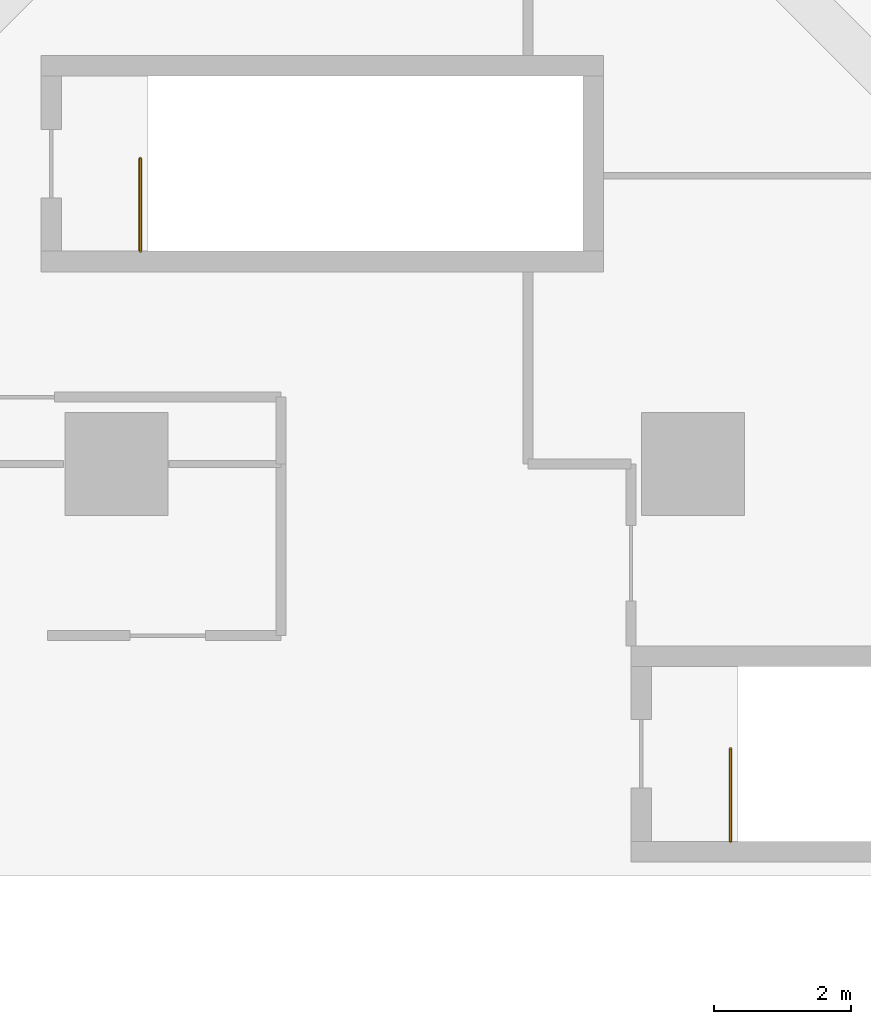
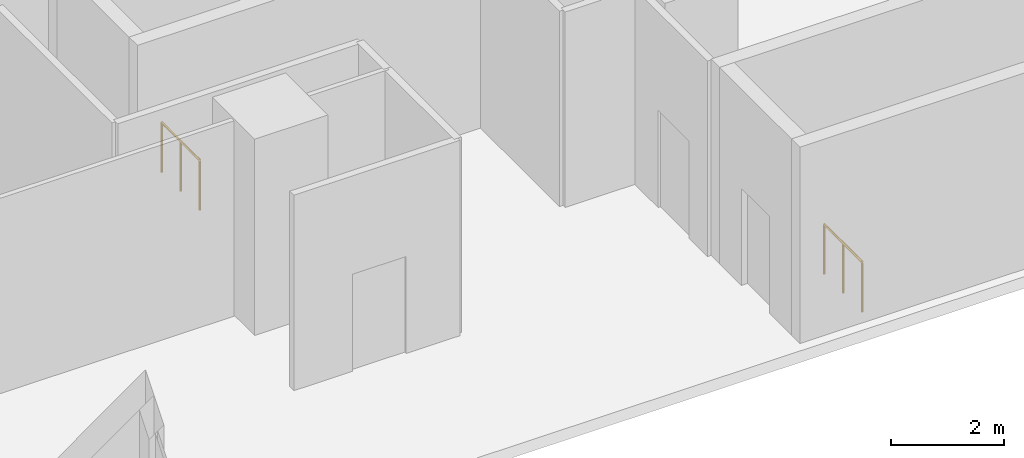
# One storey, part 13 of 13: 2 railings.
"""IFC4 building model written with IfcOpenShell, lengths in metres."""

from ifc_helpers import new_model, si_unit, direction, frame, origin, origin_2d, place, context, subcontext, project, spatial, circle, extrude, material, type_object, element, save


model = new_model("IFC4")

# Units and contexts
model_context = context("Model", 3, precision=1e-05, world=origin(), true_north=direction((0.0, 1.0)))
body_context = subcontext(model_context, "Body", "Model", "MODEL_VIEW")
ifc_project = project(units=[si_unit("LENGTHUNIT", "METRE"), si_unit("AREAUNIT", "SQUARE_METRE"), si_unit("VOLUMEUNIT", "CUBIC_METRE"), si_unit("PLANEANGLEUNIT", "RADIAN"), si_unit("MASSUNIT", "GRAM", prefix="KILO")], contexts=[model_context])

# Site, building, storey
site_placement = place(None, origin())
site = spatial("IfcSite", under=ifc_project, at=site_placement, CompositionType="ELEMENT")
building_placement = place(site_placement, origin())
building = spatial("IfcBuilding", under=site, at=building_placement, Name="Brevane Broadcast Tower", CompositionType="ELEMENT")
storey_placement = place(building_placement, frame((0.0, 0.0, 32.0)))
storey = spatial("IfcBuildingStorey", under=building, at=storey_placement, Name="L05", CompositionType="ELEMENT", Elevation=32.0)

# Railings
ifc_material = material(Name="Steel S355", Category="steel")
railing_type = type_object("IfcRailingType", Name="Exit stair guard", PredefinedType="GUARDRAIL", material=ifc_material)
railing_1_placement = place(storey_placement, frame((17.35009765625, 53.300048828125, 0.0)))
element("IfcRailing", 1, at=railing_1_placement, inside=storey, type_object=railing_type, Name="L05 ST-5 top well guard 1", PredefinedType="GUARDRAIL", context=body_context, shape_type="SweptSolid", body=[
    extrude(circle(Radius=0.02392578125, at=origin_2d()), frame((0.0, 0.0, 1.076171875), z_axis=(0.0, 1.0, 0.0), x_axis=(-1.0, 0.0, 0.0)), (0.0, 0.0, 1.0), 1.349853515625),
    extrude(circle(Radius=0.02099609375, at=origin_2d()), origin(), (0.0, 0.0, 1.0), 1.052001953125),
    extrude(circle(Radius=0.02099609375, at=origin_2d()), frame((0.0, 0.6748046875, 0.0)), (0.0, 0.0, 1.0), 1.052001953125),
    extrude(circle(Radius=0.02099609375, at=origin_2d()), frame((0.0, 1.349853515625, 0.0)), (0.0, 0.0, 1.0), 1.052001953125),
])
railing_2_placement = place(storey_placement, frame((8.75, 61.89990234375, 0.0)))
element("IfcRailing", 2, at=railing_2_placement, inside=storey, type_object=railing_type, Name="L05 ST-6 top well guard 1", PredefinedType="GUARDRAIL", context=body_context, shape_type="SweptSolid", body=[
    extrude(circle(Radius=0.02392578125, at=origin_2d()), frame((0.0, 0.0, 1.076171875), z_axis=(0.0, 1.0, 0.0), x_axis=(-1.0, 0.0, 0.0)), (0.0, 0.0, 1.0), 1.35009765625),
    extrude(circle(Radius=0.02099609375, at=origin_2d()), origin(), (0.0, 0.0, 1.0), 1.052001953125),
    extrude(circle(Radius=0.02099609375, at=origin_2d()), frame((0.0, 0.675048828125, 0.0)), (0.0, 0.0, 1.0), 1.052001953125),
    extrude(circle(Radius=0.02099609375, at=origin_2d()), frame((0.0, 1.35009765625, 0.0)), (0.0, 0.0, 1.0), 1.052001953125),
])

save(model, "model.ifc")
